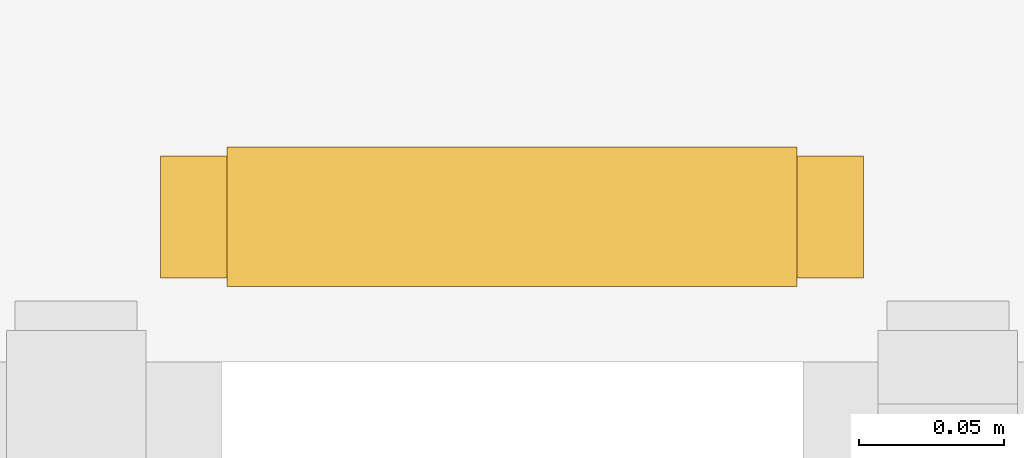
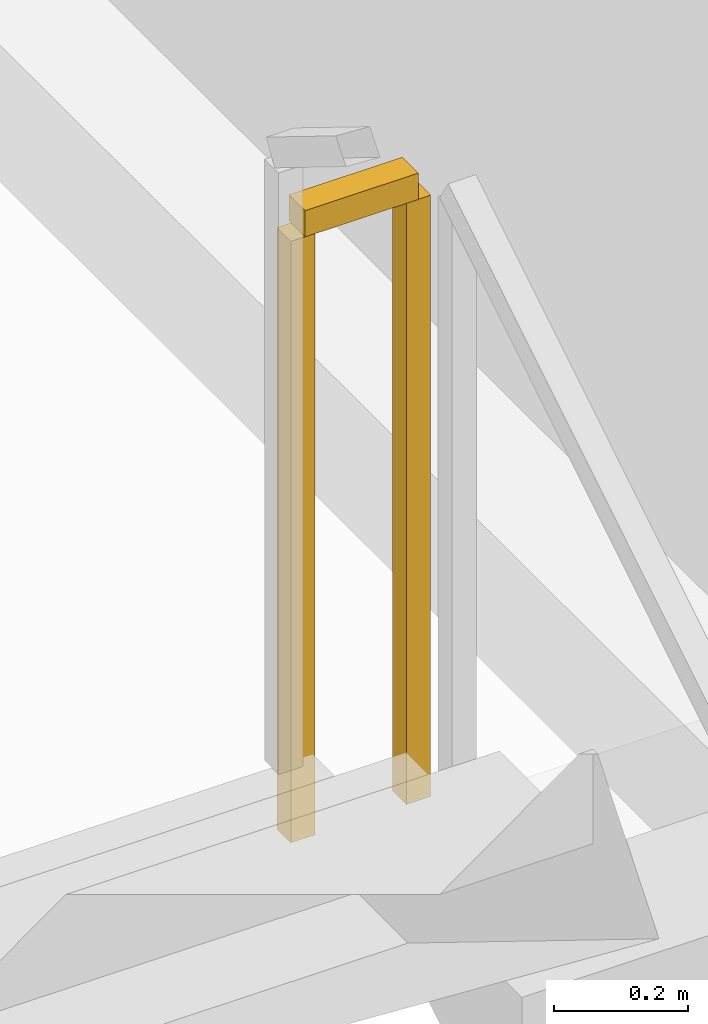
# One storey, part 29 of 29: 1 railing.
"""IFC4 building model written with IfcOpenShell, lengths in metres."""

from ifc_helpers import new_model, si_unit, direction, frame, origin, origin_2d, place, context, subcontext, project, spatial, rectangle, extrude, material, type_object, element, save


model = new_model("IFC4")

# Units and contexts
model_context = context("Model", 3, precision=1e-05, world=origin(), true_north=direction((0.0, 1.0)))
body_context = subcontext(model_context, "Body", "Model", "MODEL_VIEW")
ifc_project = project(units=[si_unit("LENGTHUNIT", "METRE"), si_unit("AREAUNIT", "SQUARE_METRE"), si_unit("VOLUMEUNIT", "CUBIC_METRE"), si_unit("PLANEANGLEUNIT", "RADIAN"), si_unit("MASSUNIT", "GRAM", prefix="KILO")], contexts=[model_context])

# Site, building, storey
site_placement = place(None, origin())
site = spatial("IfcSite", under=ifc_project, at=site_placement, CompositionType="ELEMENT")
building_placement = place(site_placement, origin())
building = spatial("IfcBuilding", under=site, at=building_placement, Name="Zuhravey Tower", CompositionType="ELEMENT")
storey_placement = place(building_placement, frame((0.0, 0.0, 292.0)))
storey = spatial("IfcBuildingStorey", under=building, at=storey_placement, Name="L74", CompositionType="ELEMENT", Elevation=292.0)

# Railing
ifc_material = material(Name="Painted tubular steel", Category="steel")
railing_type = type_object("IfcRailingType", Name="Stair Well Guardrail 1150", PredefinedType="GUARDRAIL", material=ifc_material)
railing_placement = place(storey_placement, frame((44.199951171875, 36.050048828125, 1.89990234375)))
element("IfcRailing", 1, at=railing_placement, inside=storey, type_object=railing_type, Name="L74 ST2 stair guard 2", PredefinedType="GUARDRAIL", context=body_context, shape_type="SweptSolid", body=[
    extrude(rectangle(XDim=0.048095703125, YDim=0.048095703125, at=origin_2d()), frame((-0.001953125, 0.0, 1.1259765625), z_axis=(-1.0, 0.0, 0.0), x_axis=(0.0, -1.0, 0.0)), (0.0, 0.0, 1.0), 0.196044921875),
    extrude(rectangle(XDim=0.0419921875, YDim=0.0419921875, at=origin_2d()), origin(), (0.0, 0.0, 1.0), 1.099853515625),
    extrude(rectangle(XDim=0.0419921875, YDim=0.0419921875, at=origin_2d()), frame((-0.199951171875, 0.0, 0.0)), (0.0, 0.0, 1.0), 1.099853515625),
])

save(model, "model.ifc")
